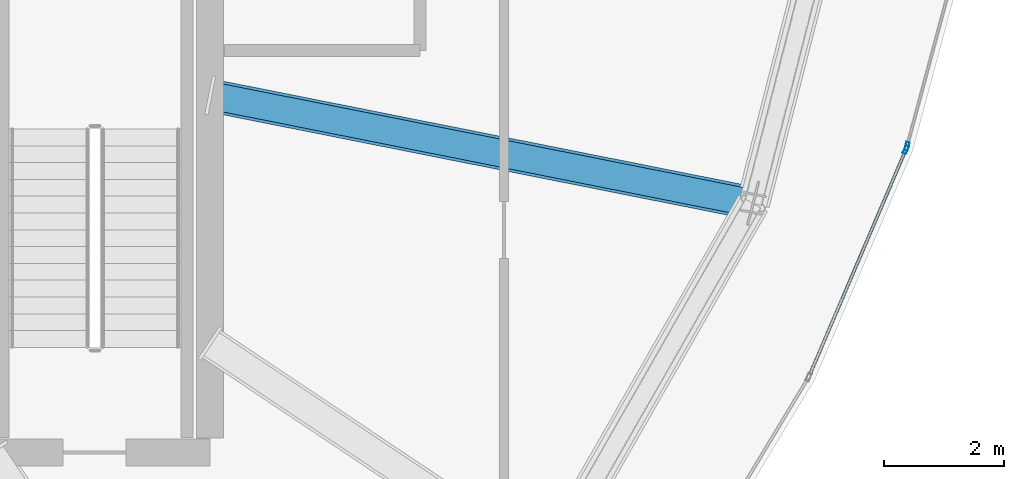
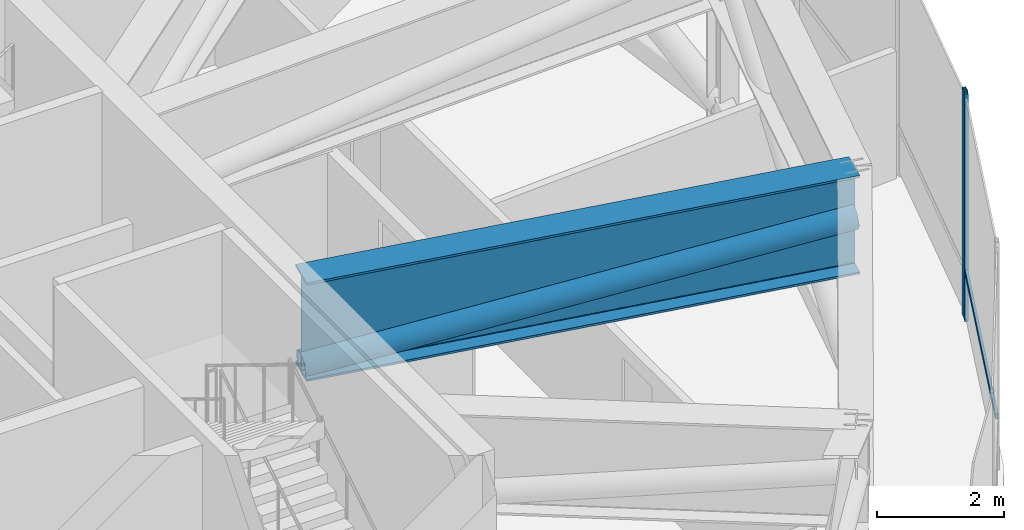
# One storey, part 11 of 26: 4 members, 1 beam, 2 elements without a shape of their own.
"""IFC4 building model written with IfcOpenShell, lengths in metres."""

from ifc_helpers import new_model, si_unit, direction, frame, origin, origin_2d, place, context, subcontext, project, spatial, hollow_rectangle, hollow_circle, i_section, extrude, source, transform, mapped, material, layer, layer_set, material_profile, profile_set, type_object, element, aggregate, save


model = new_model("IFC4")

# Units and contexts
model_context = context("Model", 3, precision=1e-05, world=origin(), true_north=direction((0.0, 1.0)))
body_context = subcontext(model_context, "Body", "Model", "MODEL_VIEW")
ifc_project = project(units=[si_unit("LENGTHUNIT", "METRE"), si_unit("AREAUNIT", "SQUARE_METRE"), si_unit("VOLUMEUNIT", "CUBIC_METRE"), si_unit("PLANEANGLEUNIT", "RADIAN"), si_unit("MASSUNIT", "GRAM", prefix="KILO"), si_unit("THERMODYNAMICTEMPERATUREUNIT", "KELVIN")], contexts=[model_context])

# Site, building, storey
site_placement = place(None, origin())
site = spatial("IfcSite", under=ifc_project, at=site_placement, CompositionType="ELEMENT")
building_placement = place(site_placement, origin())
building = spatial("IfcBuilding", under=site, at=building_placement, Name="Kethvar Cultural Tower", CompositionType="ELEMENT")
storey_placement = place(building_placement, frame((0.0, 0.0, 223.60009765625)))
storey = spatial("IfcBuildingStorey", under=building, at=storey_placement, Name="L58", CompositionType="ELEMENT", Elevation=223.60009765625)

# Beam
ifc_material_1 = material(Name="Steel S460M", Category="steel")
ifc_material_profile_1 = material_profile(ifc_material_1, i_section(OverallWidth=0.550048828125, OverallDepth=1.89990234375, WebThickness=0.02490234375, FlangeThickness=0.0400390625, FilletRadius=0.02001953125, at=origin_2d()), Name="Steel S460M — PG1900x550x40x25")
ifc_profile_set_1 = profile_set([ifc_material_profile_1], Name="Steel S460M — PG1900x550x40x25")
beam_type = type_object("IfcBeamType", Name="BM-TR1900", PredefinedType="BEAM", material=ifc_profile_set_1)
shared_shape_1 = source(origin(), body_context, "Body", "SweptSolid", [
    extrude(i_section(OverallWidth=0.550048828125, OverallDepth=1.89990234375, WebThickness=0.02490234375, FlangeThickness=0.0400390625, FilletRadius=0.02001953125, at=origin_2d()), origin(), (0.0, 0.0, 1.0), 9.225830078125),
])
beam_placement = place(storey_placement, frame((55.60009765625, 26.049560546875, 3.427978515625), z_axis=(0.980786744069, -0.195082963529, 0.0), x_axis=(0.195082963529, 0.980786744069, 0.0)))
element("IfcBeam", 1, at=beam_placement, inside=storey, type_object=beam_type, Name="L58 Outrigger Transfer Girder OG-16", PredefinedType="BEAM", context=body_context, shape_type="MappedRepresentation", body=[
    mapped(shared_shape_1, transform((0.0, 0.0, 0.0), scale=1.0)),
])

# Member
ifc_material_2 = material(Name="Steel S355J2", Category="steel")
ifc_material_profile_2 = material_profile(ifc_material_2, hollow_circle(Radius=0.228515625, WallThickness=0.01611328125, at=origin_2d()), Name="Steel S355J2 — CHS457x16")
ifc_profile_set_2 = profile_set([ifc_material_profile_2], Name="Steel S355J2 — CHS457x16")
member_type_1 = type_object("IfcMemberType", Name="MB-OUT-457", PredefinedType="BRACE", material=ifc_profile_set_2)
shared_shape_2 = source(origin(), body_context, "Body", "SweptSolid", [
    extrude(hollow_circle(Radius=0.228515625, WallThickness=0.01611328125, at=origin_2d()), origin(), (0.0, 0.0, 1.0), 9.258544921875),
])
member_1_placement = place(storey_placement, frame((55.60009765625, 26.049560546875, 2.64990234375), z_axis=(0.977317238966, -0.194392863116, 0.084038260275), x_axis=(0.195082963529, 0.980786744069, 0.0)))
element("IfcMember", 2, at=member_1_placement, inside=storey, type_object=member_type_1, Name="L58 Outrigger Truss Diagonal OB-16", PredefinedType="BRACE", context=body_context, shape_type="MappedRepresentation", body=[
    mapped(shared_shape_2, transform((0.0, 0.0, 0.0), scale=1.0)),
])

# Curtain wall, member
ifc_material_3 = material(Name="Aluminium 6063-T6", Category="aluminium")
ifc_layer = layer(ifc_material_3, 0.179931640625, Name="Aluminium 6063-T6", Category="aluminium")
ifc_layer_set = layer_set([ifc_layer], Name="Aluminium 6063-T6 (180 mm)")
curtain_wall_type = type_object("IfcCurtainWallType", Name="CW-SYS-04-Z34", PredefinedType="NOTDEFINED", material=ifc_layer_set)
curtain_wall_1_placement = place(storey_placement, origin())
curtain_wall_1 = element("IfcCurtainWall", 3, at=curtain_wall_1_placement, inside=storey, type_object=curtain_wall_type, Name="L58 Curtain Wall Run 05", PredefinedType="NOTDEFINED")
ifc_material_profile_3 = material_profile(ifc_material_3, hollow_rectangle(XDim=0.06005859375, YDim=0.139892578125, WallThickness=0.0048828125, at=origin_2d()), Name="Aluminium 6063-T6 — RHS140x60x5")
ifc_profile_set_3 = profile_set([ifc_material_profile_3], Name="Aluminium 6063-T6 — RHS140x60x5")
member_type_2 = type_object("IfcMemberType", Name="CW-SYS-04-Z34-MUL", PredefinedType="MULLION", material=ifc_profile_set_3)
shared_shape_3 = source(origin(), body_context, "Body", "SweptSolid", [
    extrude(hollow_rectangle(XDim=0.06005859375, YDim=0.139892578125, WallThickness=0.0048828125, at=origin_2d()), origin(), (0.0, 0.0, 1.0), 4.3798828125),
])
member_2_placement = place(storey_placement, frame((67.19384765625, 25.142333984375, 0.0), z_axis=(0.0, 0.0, 1.0), x_axis=(-0.919602231491, 0.392850780623, 0.0)))
member_2 = element("IfcMember", 4, at=member_2_placement, type_object=member_type_2, Name="CW-L58-R05 Mullion 7", PredefinedType="MULLION", context=body_context, shape_type="MappedRepresentation", body=[
    mapped(shared_shape_3, transform((0.0, 0.0, 0.0), scale=1.0)),
])

curtain_wall_2_placement = place(storey_placement, origin())
curtain_wall_2 = element("IfcCurtainWall", 5, at=curtain_wall_2_placement, inside=storey, type_object=curtain_wall_type, Name="L58 Curtain Wall Run 06", PredefinedType="NOTDEFINED")
member_3_placement = place(storey_placement, frame((67.21435546875, 25.201171875, 0.0), z_axis=(0.0, 0.0, 1.0), x_axis=(-0.965649726997, 0.259847271971, 0.0)))
member_3 = element("IfcMember", 6, at=member_3_placement, type_object=member_type_2, Name="CW-L58-R06 Mullion 1", PredefinedType="MULLION", context=body_context, shape_type="MappedRepresentation", body=[
    mapped(shared_shape_3, transform((0.0, 0.0, 0.0), scale=1.0)),
])
aggregate(curtain_wall_2, [member_3])

# Member
ifc_material_profile_4 = material_profile(ifc_material_3, hollow_rectangle(XDim=0.050048828125, YDim=0.10009765625, WallThickness=0.00390625, at=origin_2d()), Name="Aluminium 6063-T6 — RHS100x50x4")
ifc_profile_set_4 = profile_set([ifc_material_profile_4], Name="Aluminium 6063-T6 — RHS100x50x4")
member_type_3 = type_object("IfcMemberType", Name="CW-SYS-04-Z34-TRN", PredefinedType="USERDEFINED", material=ifc_profile_set_4)
shared_shape_4 = source(origin(), body_context, "Body", "SweptSolid", [
    extrude(hollow_rectangle(XDim=0.050048828125, YDim=0.10009765625, WallThickness=0.00390625, at=origin_2d()), origin(), (0.0, 0.0, 1.0), 4.072509765625),
])
member_4_placement = place(storey_placement, frame((65.59228515625, 21.393310546875, 0.949951171875), z_axis=(0.392891687443, 0.919584755168, 0.0), x_axis=(-0.919584755168, 0.392891687443, 0.0)))
member_4 = element("IfcMember", 7, at=member_4_placement, type_object=member_type_3, Name="CW-L58-R05 Transom 6", ObjectType="TRANSOM", PredefinedType="USERDEFINED", context=body_context, shape_type="MappedRepresentation", body=[
    mapped(shared_shape_4, transform((0.0, 0.0, 0.0), scale=1.0)),
])

aggregate(curtain_wall_1, [member_2, member_4])

save(model, "model.ifc")
